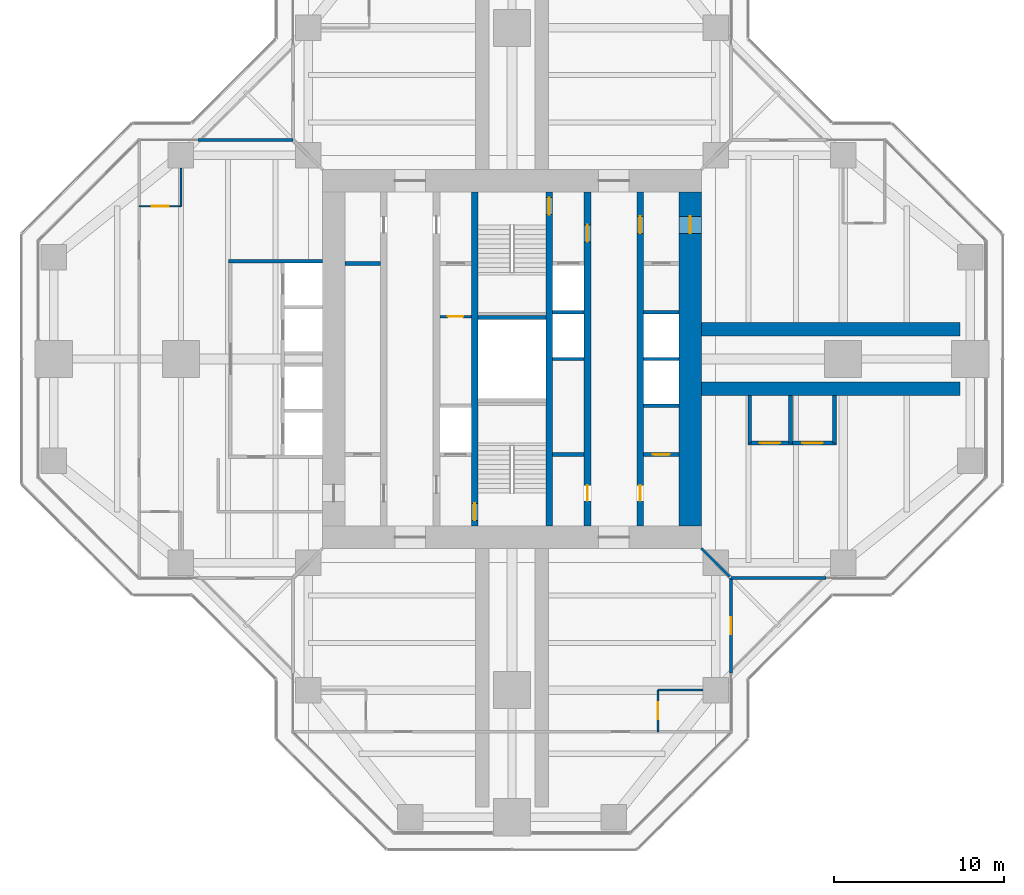
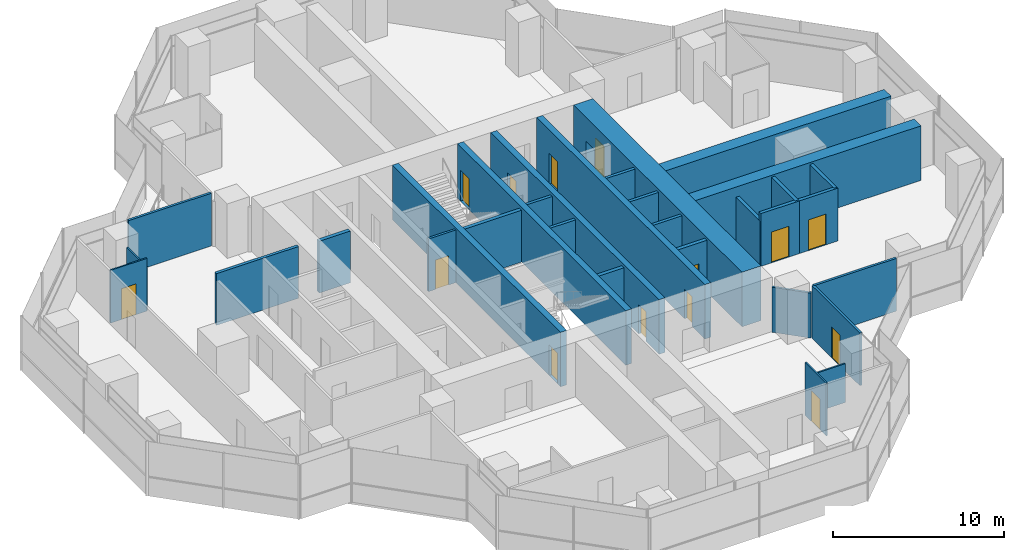
# One storey, part 14 of 17: 31 walls, 14 doors, 14 openings.
"""IFC4 building model written with IfcOpenShell, lengths in metres."""

from ifc_helpers import new_model, si_unit, direction, frame, frame_2d, origin, place, context, subcontext, project, spatial, rectangle, extrude, material, layer, layer_set, type_object, element, fill, save


model = new_model("IFC4")

# Units and contexts
model_context = context("Model", 3, precision=1e-05, world=origin(), true_north=direction((0.0, 1.0)))
body_context = subcontext(model_context, "Body", "Model", "MODEL_VIEW")
ifc_project = project(units=[si_unit("LENGTHUNIT", "METRE"), si_unit("AREAUNIT", "SQUARE_METRE"), si_unit("VOLUMEUNIT", "CUBIC_METRE"), si_unit("PLANEANGLEUNIT", "RADIAN"), si_unit("MASSUNIT", "GRAM", prefix="KILO")], contexts=[model_context])

# Site, building, storey
site_placement = place(None, origin())
site = spatial("IfcSite", under=ifc_project, at=site_placement, CompositionType="ELEMENT")
building_placement = place(site_placement, origin())
building = spatial("IfcBuilding", under=site, at=building_placement, Name="Mizan Broadcast Tower", CompositionType="ELEMENT")
storey_placement = place(building_placement, frame((0.0, 0.0, 240.0)))
storey = spatial("IfcBuildingStorey", under=building, at=storey_placement, Name="L56", CompositionType="ELEMENT", Elevation=240.0)

# Wall, openings, doors
ifc_material_1 = material(Name="Concrete C70/85", Category="concrete")
ifc_layer_1 = layer(ifc_material_1, 0.39990234375)
ifc_layer_set_1 = layer_set([ifc_layer_1], Name="Concrete C70/85")
wall_type_1 = type_object("IfcWallType", Name="CORE INTERNAL WALL 400", PredefinedType="SHEAR", material=ifc_layer_set_1)
wall_1_placement = place(storey_placement, frame((7.550048828125, 9.85009765625, 0.0), z_axis=(0.0, 0.0, 1.0), x_axis=(0.0, -1.0, 0.0)))
wall_1 = element("IfcWall", 1, at=wall_1_placement, inside=storey, type_object=wall_type_1, Name="Core wall CORE/XW1E", PredefinedType="SHEAR", context=body_context, shape_type="SweptSolid", body=[
    extrude(rectangle(XDim=19.7001953125, YDim=0.39990234375, at=frame_2d((9.85009765625, 0.0))), origin(), (0.0, 0.0, 1.0), 3.89990234375),
])
opening_1_placement = place(wall_1_placement, frame((1.449951171875, 0.0, 0.0)))
opening_1 = element("IfcOpeningElement", 2, at=opening_1_placement, cuts=wall_1, Name="Opening D10F", PredefinedType="OPENING", context=body_context, shape_type="SweptSolid", body=[
    extrude(rectangle(XDim=1.0, YDim=2.199951171875, at=frame_2d((0.5, 1.10009765625))), frame((0.0, 0.2099609375, 0.0), z_axis=(0.0, -1.0, 0.0), x_axis=(1.0, 0.0, 0.0)), (0.0, 0.0, 1.0), 0.419921875),
])
opening_2_placement = place(wall_1_placement, frame((17.300048828125, 0.0, 0.0)))
opening_2 = element("IfcOpeningElement", 3, at=opening_2_placement, cuts=wall_1, Name="Opening D09", PredefinedType="OPENING", context=body_context, shape_type="SweptSolid", body=[
    extrude(rectangle(XDim=0.89990234375, YDim=2.10009765625, at=frame_2d((0.449951171875, 1.050048828125))), frame((0.0, 0.2099609375, 0.0), z_axis=(0.0, -1.0, 0.0), x_axis=(1.0, 0.0, 0.0)), (0.0, 0.0, 1.0), 0.419921875),
])
ifc_material_2 = material(Name="Steel door leaf in steel frame", Category="steel")
door_type_1 = type_object("IfcDoorType", Name="FIRE DOOR 1000 FD90", OperationType="SINGLE_SWING_LEFT", PredefinedType="DOOR", material=ifc_material_2)
door_1_placement = place(opening_1_placement, origin())
door_1 = element("IfcDoor", 4, at=door_1_placement, inside=storey, type_object=door_type_1, Name="East core passage door", OperationType="SINGLE_SWING_LEFT", OverallHeight=2.199951171875, OverallWidth=1.0, PredefinedType="DOOR", context=body_context, shape_type="SweptSolid", body=[
    extrude(rectangle(XDim=1.0, YDim=2.199951171875, at=frame_2d((0.5, 1.10009765625))), frame((0.0, 0.02490234375, 0.0), z_axis=(0.0, -1.0, 0.0), x_axis=(1.0, 0.0, 0.0)), (0.0, 0.0, 1.0), 0.050048828125),
])
fill(opening_1, door_1)
ifc_material_3 = material(Name="Timber door leaf in aluminium frame", Category="wood")
door_type_2 = type_object("IfcDoorType", Name="TOILET DOOR 900", OperationType="SINGLE_SWING_LEFT", PredefinedType="DOOR", material=ifc_material_3)
door_2_placement = place(opening_2_placement, origin())
door_2 = element("IfcDoor", 5, at=door_2_placement, inside=storey, type_object=door_type_2, Name="Female WC door", OperationType="SINGLE_SWING_RIGHT", OverallHeight=2.10009765625, OverallWidth=0.89990234375, PredefinedType="DOOR", context=body_context, shape_type="SweptSolid", body=[
    extrude(rectangle(XDim=0.89990234375, YDim=2.10009765625, at=frame_2d((0.449951171875, 1.050048828125))), frame((0.0, 0.02490234375, 0.0), z_axis=(0.0, -1.0, 0.0), x_axis=(1.0, 0.0, 0.0)), (0.0, 0.0, 1.0), 0.050048828125),
])
fill(opening_2, door_2)

wall_2_placement = place(storey_placement, frame((4.449951171875, 9.85009765625, 0.0), z_axis=(0.0, 0.0, 1.0), x_axis=(0.0, -1.0, 0.0)))
wall_2 = element("IfcWall", 6, at=wall_2_placement, inside=storey, type_object=wall_type_1, Name="Core wall CORE/XWHE", PredefinedType="SHEAR", context=body_context, shape_type="SweptSolid", body=[
    extrude(rectangle(XDim=19.7001953125, YDim=0.39990234375, at=frame_2d((9.85009765625, 0.0))), origin(), (0.0, 0.0, 1.0), 3.89990234375),
])
opening_3_placement = place(wall_2_placement, frame((1.949951171875, 0.0, 0.0)))
opening_3 = element("IfcOpeningElement", 7, at=opening_3_placement, cuts=wall_2, Name="Opening D10F", PredefinedType="OPENING", context=body_context, shape_type="SweptSolid", body=[
    extrude(rectangle(XDim=1.0, YDim=2.199951171875, at=frame_2d((0.5, 1.10009765625))), frame((0.0, 0.2099609375, 0.0), z_axis=(0.0, -1.0, 0.0), x_axis=(1.0, 0.0, 0.0)), (0.0, 0.0, 1.0), 0.419921875),
])
opening_4_placement = place(wall_2_placement, frame((17.300048828125, 0.0, 0.0)))
opening_4 = element("IfcOpeningElement", 8, at=opening_4_placement, cuts=wall_2, Name="Opening D09", PredefinedType="OPENING", context=body_context, shape_type="SweptSolid", body=[
    extrude(rectangle(XDim=0.89990234375, YDim=2.10009765625, at=frame_2d((0.449951171875, 1.050048828125))), frame((0.0, 0.2099609375, 0.0), z_axis=(0.0, -1.0, 0.0), x_axis=(1.0, 0.0, 0.0)), (0.0, 0.0, 1.0), 0.419921875),
])
door_3_placement = place(opening_3_placement, origin())
door_3 = element("IfcDoor", 9, at=door_3_placement, inside=storey, type_object=door_type_1, Name="Firefighting lobby B door", OperationType="SINGLE_SWING_LEFT", OverallHeight=2.199951171875, OverallWidth=1.0, PredefinedType="DOOR", context=body_context, shape_type="SweptSolid", body=[
    extrude(rectangle(XDim=1.0, YDim=2.199951171875, at=frame_2d((0.5, 1.10009765625))), frame((0.0, 0.02490234375, 0.0), z_axis=(0.0, -1.0, 0.0), x_axis=(1.0, 0.0, 0.0)), (0.0, 0.0, 1.0), 0.050048828125),
])
fill(opening_3, door_3)
door_4_placement = place(opening_4_placement, origin())
door_4 = element("IfcDoor", 10, at=door_4_placement, inside=storey, type_object=door_type_2, Name="Cleaner's store door", OperationType="SINGLE_SWING_RIGHT", OverallHeight=2.10009765625, OverallWidth=0.89990234375, PredefinedType="DOOR", context=body_context, shape_type="SweptSolid", body=[
    extrude(rectangle(XDim=0.89990234375, YDim=2.10009765625, at=frame_2d((0.449951171875, 1.050048828125))), frame((0.0, 0.02490234375, 0.0), z_axis=(0.0, -1.0, 0.0), x_axis=(1.0, 0.0, 0.0)), (0.0, 0.0, 1.0), 0.050048828125),
])
fill(opening_4, door_4)

# Wall, opening, door
wall_3_placement = place(storey_placement, frame((-2.199951171875, -9.85009765625, 0.0), z_axis=(0.0, 0.0, 1.0), x_axis=(0.0, 1.0, 0.0)))
wall_3 = element("IfcWall", 11, at=wall_3_placement, inside=storey, type_object=wall_type_1, Name="Core wall CORE/XW2", PredefinedType="SHEAR", context=body_context, shape_type="SweptSolid", body=[
    extrude(rectangle(XDim=19.7001953125, YDim=0.39990234375, at=frame_2d((9.85009765625, 0.0))), origin(), (0.0, 0.0, 1.0), 3.89990234375),
])
opening_5_placement = place(wall_3_placement, frame((0.35009765625, 0.0, 0.0)))
opening_5 = element("IfcOpeningElement", 12, at=opening_5_placement, cuts=wall_3, Name="Opening D10S", PredefinedType="OPENING", context=body_context, shape_type="SweptSolid", body=[
    extrude(rectangle(XDim=1.0, YDim=2.199951171875, at=frame_2d((0.5, 1.10009765625))), frame((0.0, 0.2099609375, 0.0), z_axis=(0.0, -1.0, 0.0), x_axis=(1.0, 0.0, 0.0)), (0.0, 0.0, 1.0), 0.419921875),
])
ifc_material_4 = material(Name="Steel door leaf in steel frame", Category="steel")
door_type_3 = type_object("IfcDoorType", Name="STAIR DOOR 1000 FD90S", OperationType="SINGLE_SWING_RIGHT", PredefinedType="DOOR", material=ifc_material_4)
door_5_placement = place(opening_5_placement, origin())
door_5 = element("IfcDoor", 13, at=door_5_placement, inside=storey, type_object=door_type_3, Name="Stair A door", OperationType="SINGLE_SWING_RIGHT", OverallHeight=2.199951171875, OverallWidth=1.0, PredefinedType="DOOR", context=body_context, shape_type="SweptSolid", body=[
    extrude(rectangle(XDim=1.0, YDim=2.199951171875, at=frame_2d((0.5, 1.10009765625))), frame((0.0, 0.02490234375, 0.0), z_axis=(0.0, -1.0, 0.0), x_axis=(1.0, 0.0, 0.0)), (0.0, 0.0, 1.0), 0.050048828125),
])
fill(opening_5, door_5)

wall_4_placement = place(storey_placement, frame((2.199951171875, 9.85009765625, 0.0), z_axis=(0.0, 0.0, 1.0), x_axis=(0.0, -1.0, 0.0)))
wall_4 = element("IfcWall", 14, at=wall_4_placement, inside=storey, type_object=wall_type_1, Name="Core wall CORE/XW2E", PredefinedType="SHEAR", context=body_context, shape_type="SweptSolid", body=[
    extrude(rectangle(XDim=19.7001953125, YDim=0.39990234375, at=frame_2d((9.85009765625, 0.0))), origin(), (0.0, 0.0, 1.0), 3.89990234375),
])
opening_6_placement = place(wall_4_placement, frame((0.35009765625, 0.0, 0.0)))
opening_6 = element("IfcOpeningElement", 15, at=opening_6_placement, cuts=wall_4, Name="Opening D10S", PredefinedType="OPENING", context=body_context, shape_type="SweptSolid", body=[
    extrude(rectangle(XDim=1.0, YDim=2.199951171875, at=frame_2d((0.5, 1.10009765625))), frame((0.0, 0.2099609375, 0.0), z_axis=(0.0, -1.0, 0.0), x_axis=(1.0, 0.0, 0.0)), (0.0, 0.0, 1.0), 0.419921875),
])
door_6_placement = place(opening_6_placement, origin())
door_6 = element("IfcDoor", 16, at=door_6_placement, inside=storey, type_object=door_type_3, Name="Stair B door", OperationType="SINGLE_SWING_RIGHT", OverallHeight=2.199951171875, OverallWidth=1.0, PredefinedType="DOOR", context=body_context, shape_type="SweptSolid", body=[
    extrude(rectangle(XDim=1.0, YDim=2.199951171875, at=frame_2d((0.5, 1.10009765625))), frame((0.0, 0.02490234375, 0.0), z_axis=(0.0, -1.0, 0.0), x_axis=(1.0, 0.0, 0.0)), (0.0, 0.0, 1.0), 0.050048828125),
])
fill(opening_6, door_6)

ifc_material_5 = material(Name="Concrete blockwork", Category="masonry")
ifc_layer_2 = layer(ifc_material_5, 0.14990234375)
ifc_layer_set_2 = layer_set([ifc_layer_2], Name="Concrete blockwork")
wall_type_2 = type_object("IfcWallType", Name="CORE PARTITION 150", PredefinedType="SOLIDWALL", material=ifc_layer_set_2)
wall_5_placement = place(storey_placement, frame((-4.25, 2.5, 0.0), z_axis=(0.0, 0.0, 1.0), x_axis=(1.0, 0.0, 0.0)))
wall_5 = element("IfcWall", 17, at=wall_5_placement, inside=storey, type_object=wall_type_2, Name="Core partition CORE/XP2", PredefinedType="SOLIDWALL", context=body_context, shape_type="SweptSolid", body=[
    extrude(rectangle(XDim=1.85009765625, YDim=0.14990234375, at=frame_2d((0.925048828125, 0.0))), origin(), (0.0, 0.0, 1.0), 3.77001953125),
])
opening_7_placement = place(wall_5_placement, frame((0.47509765625, 0.0, 0.0)))
opening_7 = element("IfcOpeningElement", 18, at=opening_7_placement, cuts=wall_5, Name="Opening D09F", PredefinedType="OPENING", context=body_context, shape_type="SweptSolid", body=[
    extrude(rectangle(XDim=0.89990234375, YDim=2.10009765625, at=frame_2d((0.449951171875, 1.050048828125))), frame((0.0, 0.0849609375, 0.0), z_axis=(0.0, -1.0, 0.0), x_axis=(1.0, 0.0, 0.0)), (0.0, 0.0, 1.0), 0.169921875),
])
ifc_material_6 = material(Name="Steel door leaf in steel frame", Category="steel")
door_type_4 = type_object("IfcDoorType", Name="CORE ROOM DOOR 900 FD90", OperationType="SINGLE_SWING_LEFT", PredefinedType="DOOR", material=ifc_material_6)
door_7_placement = place(opening_7_placement, origin())
door_7 = element("IfcDoor", 19, at=door_7_placement, inside=storey, type_object=door_type_4, Name="Shower store door", OperationType="SINGLE_SWING_RIGHT", OverallHeight=2.10009765625, OverallWidth=0.89990234375, PredefinedType="DOOR", context=body_context, shape_type="SweptSolid", body=[
    extrude(rectangle(XDim=0.89990234375, YDim=2.10009765625, at=frame_2d((0.449951171875, 1.050048828125))), frame((0.0, 0.02490234375, 0.0), z_axis=(0.0, -1.0, 0.0), x_axis=(1.0, 0.0, 0.0)), (0.0, 0.0, 1.0), 0.050048828125),
])
fill(opening_7, door_7)

ifc_material_7 = material(Name="Concrete C70/85", Category="concrete")
ifc_layer_3 = layer(ifc_material_7, 1.300048828125)
ifc_layer_set_3 = layer_set([ifc_layer_3], Name="Concrete C70/85")
wall_type_3 = type_object("IfcWallType", Name="CORE WALL 1300", PredefinedType="SHEAR", material=ifc_layer_set_3)
wall_6_placement = place(storey_placement, frame((10.5, -9.85009765625, 0.0), z_axis=(0.0, 0.0, 1.0), x_axis=(0.0, 1.0, 0.0)))
wall_6 = element("IfcWall", 20, at=wall_6_placement, inside=storey, type_object=wall_type_3, Name="Core wall E L56", PredefinedType="SHEAR", context=body_context, shape_type="SweptSolid", body=[
    extrude(rectangle(XDim=19.7001953125, YDim=1.300048828125, at=frame_2d((9.85009765625, 0.0))), origin(), (0.0, 0.0, 1.0), 3.89990234375),
])
opening_8_placement = place(wall_6_placement, frame((17.25, 0.0, 0.0)))
opening_8 = element("IfcOpeningElement", 21, at=opening_8_placement, cuts=wall_6, Name="Opening D10F", PredefinedType="OPENING", context=body_context, shape_type="SweptSolid", body=[
    extrude(rectangle(XDim=1.0, YDim=2.199951171875, at=frame_2d((0.5, 1.10009765625))), frame((0.0, 0.659912109375, 0.0), z_axis=(0.0, -1.0, 0.0), x_axis=(1.0, 0.0, 0.0)), (0.0, 0.0, 1.0), 1.320068359375),
])
door_8_placement = place(opening_8_placement, origin())
door_8 = element("IfcDoor", 22, at=door_8_placement, inside=storey, type_object=door_type_1, Name="East core passage arm door", OperationType="SINGLE_SWING_RIGHT", OverallHeight=2.199951171875, OverallWidth=1.0, PredefinedType="DOOR", context=body_context, shape_type="SweptSolid", body=[
    extrude(rectangle(XDim=1.0, YDim=2.199951171875, at=frame_2d((0.5, 1.10009765625))), frame((0.0, 0.02490234375, 0.0), z_axis=(0.0, -1.0, 0.0), x_axis=(1.0, 0.0, 0.0)), (0.0, 0.0, 1.0), 0.050048828125),
])
fill(opening_8, door_8)

# Walls
ifc_material_8 = material(Name="Aluminium framed glazed screen", Category="aluminium")
ifc_layer_4 = layer(ifc_material_8, 0.159912109375)
ifc_layer_set_4 = layer_set([ifc_layer_4], Name="Aluminium framed glazed screen")
wall_type_4 = type_object("IfcWallType", Name="GLAZED SCREEN WALL 160", PredefinedType="SOLIDWALL", material=ifc_layer_set_4)
for number, where, z_axis, x_axis, name in (
    (23, (12.89990234375, -12.89990234375, 0.0), (0.0, 0.0, 1.0), (1.0, 0.0, 0.0), "Winter garden screen L56 E"),
    (24, (-12.89990234375, 12.89990234375, 0.0), (0.0, 0.0, 1.0), (-1.0, 0.0, 0.0), "Winter garden screen L56 W"),
):
    element("IfcWall", number, at=place(storey_placement, frame(where, z_axis=z_axis, x_axis=x_axis)), inside=storey, type_object=wall_type_4, Name=name, PredefinedType="SOLIDWALL", context=body_context, shape_type="SweptSolid", body=[
        extrude(rectangle(XDim=5.60009765625, YDim=0.159912109375, at=frame_2d((2.800048828125, 0.0))), origin(), (0.0, 0.0, 1.0), 3.77001953125),
    ])

# Wall, opening, door
wall_7_placement = place(storey_placement, frame((12.89990234375, -18.5, 0.0), z_axis=(0.0, 0.0, 1.0), x_axis=(0.0, 1.0, 0.0)))
wall_7 = element("IfcWall", 25, at=wall_7_placement, inside=storey, type_object=wall_type_4, Name="Winter garden screen L56 S", PredefinedType="SOLIDWALL", context=body_context, shape_type="SweptSolid", body=[
    extrude(rectangle(XDim=5.60009765625, YDim=0.159912109375, at=frame_2d((2.800048828125, 0.0))), origin(), (0.0, 0.0, 1.0), 3.77001953125),
])
opening_9_placement = place(wall_7_placement, frame((2.300048828125, 0.0, 0.0)))
opening_9 = element("IfcOpeningElement", 26, at=opening_9_placement, cuts=wall_7, Name="Opening WGD", PredefinedType="OPENING", context=body_context, shape_type="SweptSolid", body=[
    extrude(rectangle(XDim=1.0, YDim=2.199951171875, at=frame_2d((0.5, 1.10009765625))), frame((0.0, 0.08984375, 0.0), z_axis=(0.0, -1.0, 0.0), x_axis=(1.0, 0.0, 0.0)), (0.0, 0.0, 1.0), 0.179931640625),
])
ifc_material_9 = material(Name="Aluminium framed glazed door", Category="aluminium")
door_type_5 = type_object("IfcDoorType", Name="WINTER GARDEN DOOR 1000 GLAZED", OperationType="SINGLE_SWING_LEFT", PredefinedType="DOOR", material=ifc_material_9)
door_9_placement = place(opening_9_placement, origin())
door_9 = element("IfcDoor", 27, at=door_9_placement, inside=storey, type_object=door_type_5, Name="Winter garden door L56 S", OperationType="SINGLE_SWING_RIGHT", OverallHeight=2.199951171875, OverallWidth=1.0, PredefinedType="DOOR", context=body_context, shape_type="SweptSolid", body=[
    extrude(rectangle(XDim=1.0, YDim=2.199951171875, at=frame_2d((0.5, 1.10009765625))), frame((0.0, 0.02490234375, 0.0), z_axis=(0.0, -1.0, 0.0), x_axis=(1.0, 0.0, 0.0)), (0.0, 0.0, 1.0), 0.050048828125),
])
fill(opening_9, door_9)

# Walls
ifc_material_10 = material(Name="Concrete blockwork", Category="masonry")
ifc_layer_5 = layer(ifc_material_10, 0.199951171875)
ifc_layer_set_5 = layer_set([ifc_layer_5], Name="Concrete blockwork")
wall_type_5 = type_object("IfcWallType", Name="LIFT SHAFT WALL 200", PredefinedType="SOLIDWALL", material=ifc_layer_set_5)
wall_8_placement = place(storey_placement, frame((7.75, -2.75, 0.0), z_axis=(0.0, 0.0, 1.0), x_axis=(1.0, 0.0, 0.0)))
element("IfcWall", 28, at=wall_8_placement, inside=storey, type_object=wall_type_5, Name="Lift shaft wall CORE/SE1-1", PredefinedType="SOLIDWALL", context=body_context, shape_type="SweptSolid", body=[
    extrude(rectangle(XDim=2.10009765625, YDim=0.199951171875, at=frame_2d((1.050048828125, 0.0))), origin(), (0.0, 0.0, 1.0), 3.699951171875),
])
wall_9_placement = place(storey_placement, frame((2.39990234375, 0.0, 0.0), z_axis=(0.0, 0.0, 1.0), x_axis=(1.0, 0.0, 0.0)))
element("IfcWall", 29, at=wall_9_placement, inside=storey, type_object=wall_type_5, Name="Lift shaft wall CORE/SE2-2", PredefinedType="SOLIDWALL", context=body_context, shape_type="SweptSolid", body=[
    extrude(rectangle(XDim=1.85009765625, YDim=0.199951171875, at=frame_2d((0.925048828125, 0.0))), origin(), (0.0, 0.0, 1.0), 3.699951171875),
])
wall_10_placement = place(storey_placement, frame((7.75, 0.0, 0.0), z_axis=(0.0, 0.0, 1.0), x_axis=(1.0, 0.0, 0.0)))
element("IfcWall", 30, at=wall_10_placement, inside=storey, type_object=wall_type_5, Name="Lift shaft wall CORE/SE1-2", PredefinedType="SOLIDWALL", context=body_context, shape_type="SweptSolid", body=[
    extrude(rectangle(XDim=2.10009765625, YDim=0.199951171875, at=frame_2d((1.050048828125, 0.0))), origin(), (0.0, 0.0, 1.0), 3.699951171875),
])
wall_11_placement = place(storey_placement, frame((2.39990234375, 2.75, 0.0), z_axis=(0.0, 0.0, 1.0), x_axis=(1.0, 0.0, 0.0)))
element("IfcWall", 31, at=wall_11_placement, inside=storey, type_object=wall_type_5, Name="Lift shaft wall CORE/SE2-3", PredefinedType="SOLIDWALL", context=body_context, shape_type="SweptSolid", body=[
    extrude(rectangle(XDim=1.85009765625, YDim=0.199951171875, at=frame_2d((0.925048828125, 0.0))), origin(), (0.0, 0.0, 1.0), 3.699951171875),
])
wall_12_placement = place(storey_placement, frame((7.75, 2.75, 0.0), z_axis=(0.0, 0.0, 1.0), x_axis=(1.0, 0.0, 0.0)))
element("IfcWall", 32, at=wall_12_placement, inside=storey, type_object=wall_type_5, Name="Lift shaft wall CORE/SE1-3", PredefinedType="SOLIDWALL", context=body_context, shape_type="SweptSolid", body=[
    extrude(rectangle(XDim=2.10009765625, YDim=0.199951171875, at=frame_2d((1.050048828125, 0.0))), origin(), (0.0, 0.0, 1.0), 3.699951171875),
])
wall_13_placement = place(storey_placement, frame((-11.14990234375, 5.75, 0.0), z_axis=(0.0, 0.0, 1.0), x_axis=(-1.0, 0.0, 0.0)))
element("IfcWall", 33, at=wall_13_placement, inside=storey, type_object=wall_type_5, Name="Lift shaft wall LC/S1", PredefinedType="SOLIDWALL", context=body_context, shape_type="SweptSolid", body=[
    extrude(rectangle(XDim=5.550048828125, YDim=0.199951171875, at=frame_2d((2.77490234375, 0.0))), origin(), (0.0, 0.0, 1.0), 3.699951171875),
])
ifc_material_11 = material(Name="Concrete blockwork", Category="masonry")
ifc_layer_6 = layer(ifc_material_11, 0.25)
ifc_layer_set_6 = layer_set([ifc_layer_6], Name="Concrete blockwork")
wall_type_6 = type_object("IfcWallType", Name="LOBBY ENCLOSURE WALL 250", PredefinedType="SOLIDWALL", material=ifc_layer_set_6)
wall_14_placement = place(storey_placement, frame((-9.85009765625, 5.625, 0.0), z_axis=(0.0, 0.0, 1.0), x_axis=(1.0, 0.0, 0.0)))
element("IfcWall", 34, at=wall_14_placement, inside=storey, type_object=wall_type_6, Name="Lobby enclosure wall CORE/BW1N", PredefinedType="SOLIDWALL", context=body_context, shape_type="SweptSolid", body=[
    extrude(rectangle(XDim=2.10009765625, YDim=0.25, at=frame_2d((1.050048828125, 0.0))), origin(), (0.0, 0.0, 1.0), 3.699951171875),
])
wall_15_placement = place(storey_placement, frame((2.39990234375, -5.625, 0.0), z_axis=(0.0, 0.0, 1.0), x_axis=(1.0, 0.0, 0.0)))
element("IfcWall", 35, at=wall_15_placement, inside=storey, type_object=wall_type_6, Name="Lobby enclosure wall CORE/BE2S", PredefinedType="SOLIDWALL", context=body_context, shape_type="SweptSolid", body=[
    extrude(rectangle(XDim=1.85009765625, YDim=0.25, at=frame_2d((0.925048828125, 0.0))), origin(), (0.0, 0.0, 1.0), 3.699951171875),
])

# Wall, opening, door
wall_16_placement = place(storey_placement, frame((7.75, -5.625, 0.0), z_axis=(0.0, 0.0, 1.0), x_axis=(1.0, 0.0, 0.0)))
wall_16 = element("IfcWall", 36, at=wall_16_placement, inside=storey, type_object=wall_type_6, Name="Lobby enclosure wall CORE/BE1S", PredefinedType="SOLIDWALL", context=body_context, shape_type="SweptSolid", body=[
    extrude(rectangle(XDim=2.10009765625, YDim=0.25, at=frame_2d((1.050048828125, 0.0))), origin(), (0.0, 0.0, 1.0), 3.699951171875),
])
opening_10_placement = place(wall_16_placement, frame((0.550048828125, 0.0, 0.0)))
opening_10 = element("IfcOpeningElement", 37, at=opening_10_placement, cuts=wall_16, Name="Opening D10F", PredefinedType="OPENING", context=body_context, shape_type="SweptSolid", body=[
    extrude(rectangle(XDim=1.0, YDim=2.199951171875, at=frame_2d((0.5, 1.10009765625))), frame((0.0, 0.135009765625, 0.0), z_axis=(0.0, -1.0, 0.0), x_axis=(1.0, 0.0, 0.0)), (0.0, 0.0, 1.0), 0.27001953125),
])
door_10_placement = place(opening_10_placement, origin())
door_10 = element("IfcDoor", 38, at=door_10_placement, inside=storey, type_object=door_type_1, Name="Staff locker room door", OperationType="SINGLE_SWING_LEFT", OverallHeight=2.199951171875, OverallWidth=1.0, PredefinedType="DOOR", context=body_context, shape_type="SweptSolid", body=[
    extrude(rectangle(XDim=1.0, YDim=2.199951171875, at=frame_2d((0.5, 1.10009765625))), frame((0.0, 0.02490234375, 0.0), z_axis=(0.0, -1.0, 0.0), x_axis=(1.0, 0.0, 0.0)), (0.0, 0.0, 1.0), 0.050048828125),
])
fill(opening_10, door_10)

# Walls
wall_17_placement = place(storey_placement, frame((-2.0, 2.449951171875, 0.0), z_axis=(0.0, 0.0, 1.0), x_axis=(1.0, 0.0, 0.0)))
element("IfcWall", 39, at=wall_17_placement, inside=storey, type_object=wall_type_6, Name="Lobby enclosure wall CORE/STB", PredefinedType="SOLIDWALL", context=body_context, shape_type="SweptSolid", body=[
    extrude(rectangle(XDim=4.0, YDim=0.25, at=frame_2d((2.0, 0.0))), origin(), (0.0, 0.0, 1.0), 3.699951171875),
])
ifc_material_12 = material(Name="Gypsum board on steel studs", Category="steel")
ifc_layer_7 = layer(ifc_material_12, 0.14990234375)
ifc_layer_set_7 = layer_set([ifc_layer_7], Name="Gypsum board on steel studs")
wall_type_7 = type_object("IfcWallType", Name="PARTITION 150", PredefinedType="PARTITIONING", material=ifc_layer_set_7)
wall_18_placement = place(storey_placement, frame((11.14990234375, -11.14990234375, 0.0), z_axis=(0.0, 0.0, 1.0), x_axis=(0.707106781187, -0.707106781187, 0.0)))
element("IfcWall", 40, at=wall_18_placement, inside=storey, type_object=wall_type_7, Name="Partition PT/DGES", PredefinedType="PARTITIONING", context=body_context, shape_type="SweptSolid", body=[
    extrude(rectangle(XDim=2.362060546875, YDim=0.14990234375, at=frame_2d((1.18115234375, 0.0))), origin(), (0.0, 0.0, 1.0), 3.219970703125),
])
ifc_material_13 = material(Name="Twin steel stud acoustic partition, four layers of gypsum board", Category="steel")
ifc_layer_8 = layer(ifc_material_13, 0.22509765625)
ifc_layer_set_8 = layer_set([ifc_layer_8], Name="Twin steel stud acoustic partition, four layers of gypsum board")
wall_type_8 = type_object("IfcWallType", Name="PARTITION ACOUSTIC 225", PredefinedType="PARTITIONING", material=ifc_layer_set_8)
wall_19_placement = place(storey_placement, frame((14.0, -2.14990234375, 0.0), z_axis=(0.0, 0.0, 1.0), x_axis=(0.0, -1.0, 0.0)))
element("IfcWall", 41, at=wall_19_placement, inside=storey, type_object=wall_type_8, Name="Acoustic partition PT/EKN0a", PredefinedType="PARTITIONING", context=body_context, shape_type="SweptSolid", body=[
    extrude(rectangle(XDim=2.800048828125, YDim=0.22509765625, at=frame_2d((1.39990234375, 0.0))), origin(), (0.0, 0.0, 1.0), 3.179931640625),
])
wall_20_placement = place(storey_placement, frame((16.39990234375, -2.14990234375, 0.0), z_axis=(0.0, 0.0, 1.0), x_axis=(0.0, -1.0, 0.0)))
element("IfcWall", 42, at=wall_20_placement, inside=storey, type_object=wall_type_8, Name="Acoustic partition PT/EKN0b", PredefinedType="PARTITIONING", context=body_context, shape_type="SweptSolid", body=[
    extrude(rectangle(XDim=2.800048828125, YDim=0.22509765625, at=frame_2d((1.39990234375, 0.0))), origin(), (0.0, 0.0, 1.0), 3.77001953125),
])

# Wall, opening, door
wall_21_placement = place(storey_placement, frame((13.887451171875, -4.949951171875, 0.0), z_axis=(0.0, 0.0, 1.0), x_axis=(1.0, 0.0, 0.0)))
wall_21 = element("IfcWall", 43, at=wall_21_placement, inside=storey, type_object=wall_type_8, Name="Acoustic partition PT/EKN0f", PredefinedType="PARTITIONING", context=body_context, shape_type="SweptSolid", body=[
    extrude(rectangle(XDim=2.625, YDim=0.22509765625, at=frame_2d((1.3125, 0.0))), origin(), (0.0, 0.0, 1.0), 3.77001953125),
])
opening_11_placement = place(wall_21_placement, frame((0.71240234375, 0.0, 0.0)))
opening_11 = element("IfcOpeningElement", 44, at=opening_11_placement, cuts=wall_21, Name="Opening D12A", PredefinedType="OPENING", context=body_context, shape_type="SweptSolid", body=[
    extrude(rectangle(XDim=1.199951171875, YDim=2.199951171875, at=frame_2d((0.60009765625, 1.10009765625))), frame((0.0, 0.12255859375, 0.0), z_axis=(0.0, -1.0, 0.0), x_axis=(1.0, 0.0, 0.0)), (0.0, 0.0, 1.0), 0.2451171875),
])
ifc_material_14 = material(Name="Timber door leaf in aluminium frame", Category="wood")
door_type_6 = type_object("IfcDoorType", Name="ACOUSTIC DOOR 1200", OperationType="SINGLE_SWING_LEFT", PredefinedType="DOOR", material=ifc_material_14)
door_11_placement = place(opening_11_placement, origin())
door_11 = element("IfcDoor", 45, at=door_11_placement, inside=storey, type_object=door_type_6, Name="Translation booth door", OperationType="SINGLE_SWING_LEFT", OverallHeight=2.199951171875, OverallWidth=1.199951171875, PredefinedType="DOOR", context=body_context, shape_type="SweptSolid", body=[
    extrude(rectangle(XDim=1.199951171875, YDim=2.199951171875, at=frame_2d((0.60009765625, 1.10009765625))), frame((0.0, 0.02490234375, 0.0), z_axis=(0.0, -1.0, 0.0), x_axis=(1.0, 0.0, 0.0)), (0.0, 0.0, 1.0), 0.050048828125),
])
fill(opening_11, door_11)

# Wall
wall_22_placement = place(storey_placement, frame((19.0, -2.14990234375, 0.0), z_axis=(0.0, 0.0, 1.0), x_axis=(0.0, -1.0, 0.0)))
element("IfcWall", 46, at=wall_22_placement, inside=storey, type_object=wall_type_8, Name="Acoustic partition PT/EKN1b", PredefinedType="PARTITIONING", context=body_context, shape_type="SweptSolid", body=[
    extrude(rectangle(XDim=2.800048828125, YDim=0.22509765625, at=frame_2d((1.39990234375, 0.0))), origin(), (0.0, 0.0, 1.0), 3.77001953125),
])

# Wall, opening, door
wall_23_placement = place(storey_placement, frame((16.512451171875, -4.949951171875, 0.0), z_axis=(0.0, 0.0, 1.0), x_axis=(1.0, 0.0, 0.0)))
wall_23 = element("IfcWall", 47, at=wall_23_placement, inside=storey, type_object=wall_type_8, Name="Acoustic partition PT/EKN1f", PredefinedType="PARTITIONING", context=body_context, shape_type="SweptSolid", body=[
    extrude(rectangle(XDim=2.60009765625, YDim=0.22509765625, at=frame_2d((1.300048828125, 0.0))), origin(), (0.0, 0.0, 1.0), 3.77001953125),
])
opening_12_placement = place(wall_23_placement, frame((0.58740234375, 0.0, 0.0)))
opening_12 = element("IfcOpeningElement", 48, at=opening_12_placement, cuts=wall_23, Name="Opening D12A", PredefinedType="OPENING", context=body_context, shape_type="SweptSolid", body=[
    extrude(rectangle(XDim=1.199951171875, YDim=2.199951171875, at=frame_2d((0.60009765625, 1.10009765625))), frame((0.0, 0.12255859375, 0.0), z_axis=(0.0, -1.0, 0.0), x_axis=(1.0, 0.0, 0.0)), (0.0, 0.0, 1.0), 0.2451171875),
])
door_12_placement = place(opening_12_placement, origin())
door_12 = element("IfcDoor", 49, at=door_12_placement, inside=storey, type_object=door_type_6, Name="Translation booth door", OperationType="SINGLE_SWING_LEFT", OverallHeight=2.199951171875, OverallWidth=1.199951171875, PredefinedType="DOOR", context=body_context, shape_type="SweptSolid", body=[
    extrude(rectangle(XDim=1.199951171875, YDim=2.199951171875, at=frame_2d((0.60009765625, 1.10009765625))), frame((0.0, 0.02490234375, 0.0), z_axis=(0.0, -1.0, 0.0), x_axis=(1.0, 0.0, 0.0)), (0.0, 0.0, 1.0), 0.050048828125),
])
fill(opening_12, door_12)

ifc_material_15 = material(Name="Glazed aluminium partition on aluminium track", Category="aluminium")
ifc_layer_9 = layer(ifc_material_15, 0.10009765625)
ifc_layer_set_9 = layer_set([ifc_layer_9], Name="Glazed aluminium partition on aluminium track")
wall_type_9 = type_object("IfcWallType", Name="PARTITION GLAZED OFFICE FRONT 100", PredefinedType="PARTITIONING", material=ifc_layer_set_9)
wall_24_placement = place(storey_placement, frame((-19.5, 9.0, 0.0), z_axis=(0.0, 0.0, 1.0), x_axis=(-1.0, 0.0, 0.0)))
wall_24 = element("IfcWall", 50, at=wall_24_placement, inside=storey, type_object=wall_type_9, Name="Glazed office front PT/WCN0", PredefinedType="PARTITIONING", context=body_context, shape_type="SweptSolid", body=[
    extrude(rectangle(XDim=2.458984375, YDim=0.10009765625, at=frame_2d((1.2294921875, 0.0))), origin(), (0.0, 0.0, 1.0), 3.77001953125),
])
opening_13_placement = place(wall_24_placement, frame((0.7294921875, 0.0, 0.0)))
opening_13 = element("IfcOpeningElement", 51, at=opening_13_placement, cuts=wall_24, Name="Opening D10O", PredefinedType="OPENING", context=body_context, shape_type="SweptSolid", body=[
    extrude(rectangle(XDim=1.0, YDim=2.199951171875, at=frame_2d((0.5, 1.10009765625))), frame((0.0, 0.06005859375, 0.0), z_axis=(0.0, -1.0, 0.0), x_axis=(1.0, 0.0, 0.0)), (0.0, 0.0, 1.0), 0.1201171875),
])
ifc_material_16 = material(Name="Timber door leaf in aluminium frame", Category="wood")
door_type_7 = type_object("IfcDoorType", Name="OFFICE DOOR 1000 GLAZED", OperationType="SINGLE_SWING_LEFT", PredefinedType="DOOR", material=ifc_material_16)
door_13_placement = place(opening_13_placement, origin())
door_13 = element("IfcDoor", 52, at=door_13_placement, inside=storey, type_object=door_type_7, Name="Pantry door", OperationType="SINGLE_SWING_LEFT", OverallHeight=2.199951171875, OverallWidth=1.0, PredefinedType="DOOR", context=body_context, shape_type="SweptSolid", body=[
    extrude(rectangle(XDim=1.0, YDim=2.199951171875, at=frame_2d((0.5, 1.10009765625))), frame((0.0, 0.02490234375, 0.0), z_axis=(0.0, -1.0, 0.0), x_axis=(1.0, 0.0, 0.0)), (0.0, 0.0, 1.0), 0.050048828125),
])
fill(opening_13, door_13)

# Wall
wall_25_placement = place(storey_placement, frame((-19.5, 9.0, 0.0), z_axis=(0.0, 0.0, 1.0), x_axis=(0.0, 1.0, 0.0)))
element("IfcWall", 53, at=wall_25_placement, inside=storey, type_object=wall_type_9, Name="Glazed office front PT/WQN1950", PredefinedType="PARTITIONING", context=body_context, shape_type="SweptSolid", body=[
    extrude(rectangle(XDim=2.25, YDim=0.10009765625, at=frame_2d((1.125, 0.0))), origin(), (0.0, 0.0, 1.0), 3.179931640625),
])

# Wall, opening, door
wall_26_placement = place(storey_placement, frame((8.60009765625, -19.5, 0.0), z_axis=(0.0, 0.0, 1.0), x_axis=(0.0, -1.0, 0.0)))
wall_26 = element("IfcWall", 54, at=wall_26_placement, inside=storey, type_object=wall_type_9, Name="Glazed office front PT/SCP0", PredefinedType="PARTITIONING", context=body_context, shape_type="SweptSolid", body=[
    extrude(rectangle(XDim=2.458984375, YDim=0.10009765625, at=frame_2d((1.2294921875, 0.0))), origin(), (0.0, 0.0, 1.0), 3.77001953125),
])
opening_14_placement = place(wall_26_placement, frame((0.7294921875, 0.0, 0.0)))
opening_14 = element("IfcOpeningElement", 55, at=opening_14_placement, cuts=wall_26, Name="Opening D10O", PredefinedType="OPENING", context=body_context, shape_type="SweptSolid", body=[
    extrude(rectangle(XDim=1.0, YDim=2.199951171875, at=frame_2d((0.5, 1.10009765625))), frame((0.0, 0.06005859375, 0.0), z_axis=(0.0, -1.0, 0.0), x_axis=(1.0, 0.0, 0.0)), (0.0, 0.0, 1.0), 0.1201171875),
])
door_14_placement = place(opening_14_placement, origin())
door_14 = element("IfcDoor", 56, at=door_14_placement, inside=storey, type_object=door_type_7, Name="Correspondent's office door", OperationType="SINGLE_SWING_LEFT", OverallHeight=2.199951171875, OverallWidth=1.0, PredefinedType="DOOR", context=body_context, shape_type="SweptSolid", body=[
    extrude(rectangle(XDim=1.0, YDim=2.199951171875, at=frame_2d((0.5, 1.10009765625))), frame((0.0, 0.02490234375, 0.0), z_axis=(0.0, -1.0, 0.0), x_axis=(1.0, 0.0, 0.0)), (0.0, 0.0, 1.0), 0.050048828125),
])
fill(opening_14, door_14)

# Walls
wall_27_placement = place(storey_placement, frame((8.60009765625, -19.5, 0.0), z_axis=(0.0, 0.0, 1.0), x_axis=(1.0, 0.0, 0.0)))
element("IfcWall", 57, at=wall_27_placement, inside=storey, type_object=wall_type_9, Name="Glazed office front PT/SQP1950", PredefinedType="PARTITIONING", context=body_context, shape_type="SweptSolid", body=[
    extrude(rectangle(XDim=2.64990234375, YDim=0.10009765625, at=frame_2d((1.324951171875, 0.0))), origin(), (0.0, 0.0, 1.0), 2.77001953125),
])
ifc_material_17 = material(Name="Concrete C70/85", Category="concrete")
ifc_layer_10 = layer(ifc_material_17, 0.800048828125)
ifc_layer_set_10 = layer_set([ifc_layer_10], Name="Concrete C70/85")
wall_type_10 = type_object("IfcWallType", Name="SPINE WALL 800", PredefinedType="SHEAR", material=ifc_layer_set_10)
for number, where, z_axis, x_axis, name in (
    (58, (11.14990234375, -1.75, 0.0), (0.0, 0.0, 1.0), (1.0, 0.0, 0.0), "Spine wall ER L56"),
    (59, (11.14990234375, 1.75, 0.0), (0.0, 0.0, 1.0), (1.0, 0.0, 0.0), "Spine wall EL L56"),
):
    element("IfcWall", number, at=place(storey_placement, frame(where, z_axis=z_axis, x_axis=x_axis)), inside=storey, type_object=wall_type_10, Name=name, PredefinedType="SHEAR", context=body_context, shape_type="SweptSolid", body=[
        extrude(rectangle(XDim=15.25, YDim=0.800048828125, at=frame_2d((7.625, 0.0))), origin(), (0.0, 0.0, 1.0), 3.89990234375),
    ])

save(model, "model.ifc")
